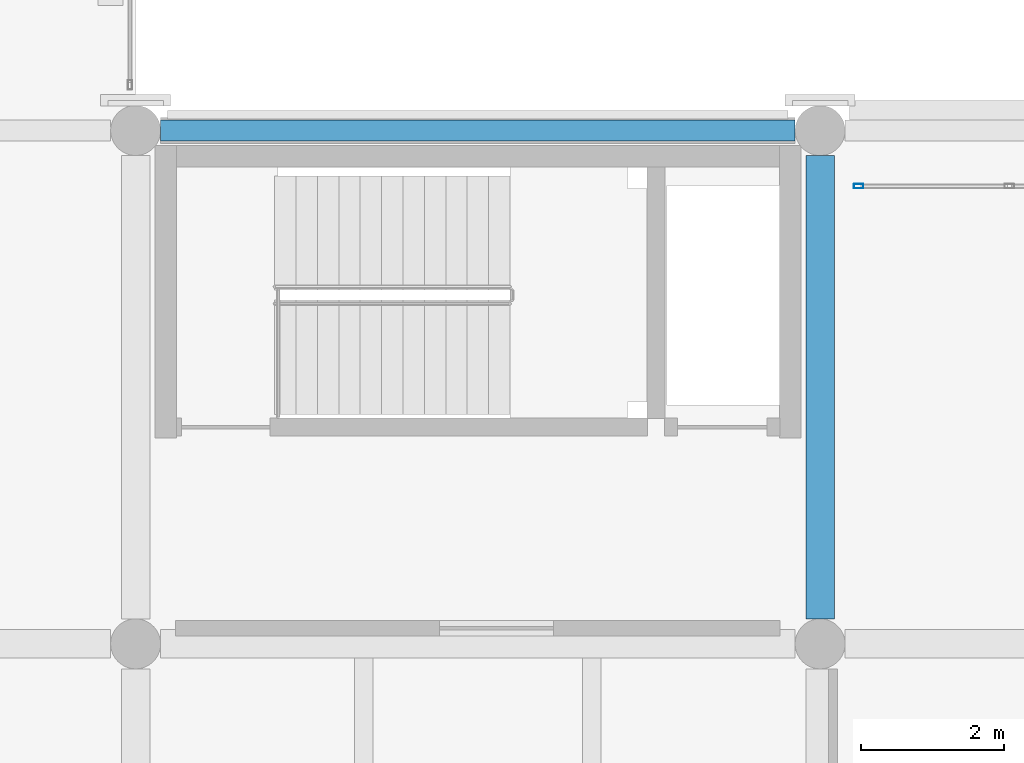
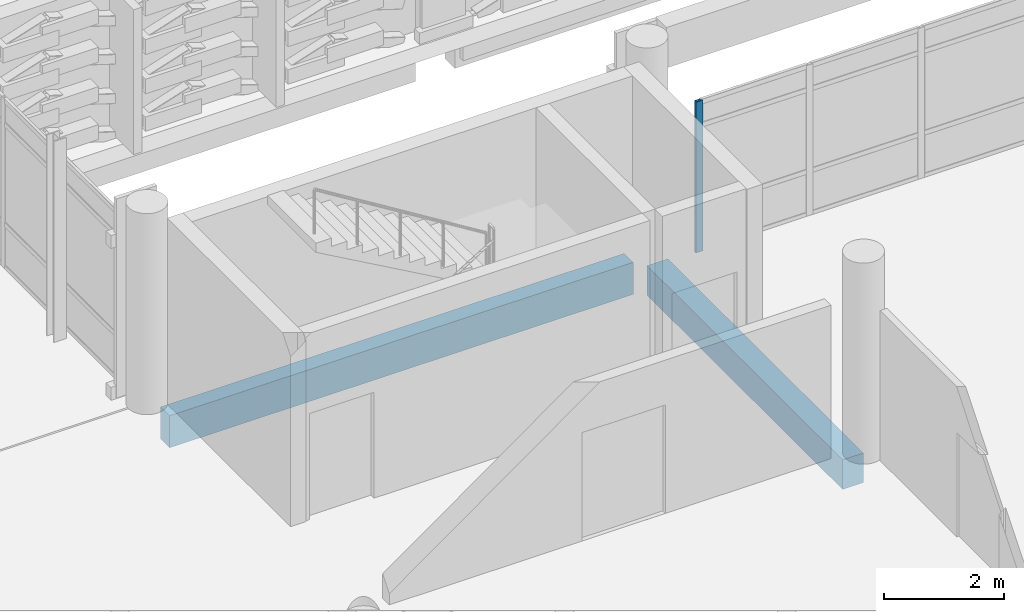
# One storey, part 52 of 180: 2 beams, 1 member, 1 element without a shape of its own.
"""IFC4 building model written with IfcOpenShell, lengths in metres."""

from ifc_helpers import new_model, si_unit, direction, frame, origin, origin_2d, place, context, subcontext, project, spatial, rectangle, hollow_rectangle, extrude, material, layer, layer_set, material_profile, profile_set, type_object, element, aggregate, save


model = new_model("IFC4")

# Units and contexts
model_context = context("Model", 3, precision=1e-05, world=origin(), true_north=direction((0.0, 1.0)))
body_context = subcontext(model_context, "Body", "Model", "MODEL_VIEW")
ifc_project = project(units=[si_unit("LENGTHUNIT", "METRE"), si_unit("AREAUNIT", "SQUARE_METRE"), si_unit("VOLUMEUNIT", "CUBIC_METRE"), si_unit("PLANEANGLEUNIT", "RADIAN"), si_unit("MASSUNIT", "GRAM", prefix="KILO")], contexts=[model_context])

# Site, building, storey
site_placement = place(None, origin())
site = spatial("IfcSite", under=ifc_project, at=site_placement, CompositionType="ELEMENT")
building_placement = place(site_placement, origin())
building = spatial("IfcBuilding", under=site, at=building_placement, Name="Asteropetra Specialist Clinic", CompositionType="ELEMENT")
storey_placement = place(building_placement, frame((0.0, 0.0, 4.419921875)))
storey = spatial("IfcBuildingStorey", under=building, at=storey_placement, Name="L01", CompositionType="ELEMENT", Elevation=4.419921875)

# Beam
ifc_material_1 = material(Name="Concrete C35/45", Category="concrete")
ifc_material_profile_1 = material_profile(ifc_material_1, rectangle(XDim=0.39990234375, YDim=0.60009765625, at=origin_2d()), Name="RCB 400x600")
ifc_profile_set_1 = profile_set([ifc_material_profile_1], Name="Concrete C35/45")
beam_type_1 = type_object("IfcBeamType", Name="BM-RC400x600", PredefinedType="BEAM", material=ifc_profile_set_1)
beam_1_placement = place(storey_placement, frame((38.39990234375, 55.550048828125, -0.599853515625), z_axis=(0.0, 1.0, 0.0), x_axis=(-1.0, 0.0, 0.0)))
element("IfcBeam", 1, at=beam_1_placement, inside=storey, type_object=beam_type_1, Name="Beam BBM08-0384", PredefinedType="BEAM", context=body_context, shape_type="SweptSolid", body=[
    extrude(rectangle(XDim=0.39990234375, YDim=0.60009765625, at=origin_2d()), origin(), (0.0, 0.0, 1.0), 6.5),
])

# Curtain wall, member
ifc_material_2 = material(Name="Aluminium and low-E glass", Category="aluminium")
ifc_layer = layer(ifc_material_2, 0.14990234375)
ifc_layer_set = layer_set([ifc_layer], Name="Aluminium and low-E glass")
curtain_wall_type = type_object("IfcCurtainWallType", Name="CW-SYS-11", PredefinedType="USERDEFINED", material=ifc_layer_set)
curtain_wall_placement = place(storey_placement, origin())
curtain_wall = element("IfcCurtainWall", 2, at=curtain_wall_placement, inside=storey, type_object=curtain_wall_type, Name="Curtain Wall CW-158", ObjectType="STICK GLAZED COLONNADE", PredefinedType="USERDEFINED")
ifc_material_3 = material(Name="Aluminium 6063-T6", Category="aluminium")
ifc_material_profile_2 = material_profile(ifc_material_3, hollow_rectangle(XDim=0.06005859375, YDim=0.135009765625, WallThickness=0.00341796875, InnerFilletRadius=0.00341796875, OuterFilletRadius=0.007080078125, at=origin_2d()), Name="MUL 135x60x3.5")
ifc_profile_set_2 = profile_set([ifc_material_profile_2], Name="Aluminium 6063-T6")
member_type = type_object("IfcMemberType", Name="CWM-135x60", PredefinedType="MULLION", material=ifc_profile_set_2)
member_placement = place(storey_placement, frame((38.93994140625, 61.6201171875, 0.0), z_axis=(0.0, 0.0, 1.0), x_axis=(0.0, -1.0, 0.0)))
member = element("IfcMember", 3, at=member_placement, type_object=member_type, Name="CW-158 mullion 5", PredefinedType="MULLION", context=body_context, shape_type="SweptSolid", body=[
    extrude(hollow_rectangle(XDim=0.06005859375, YDim=0.135009765625, WallThickness=0.00341796875, InnerFilletRadius=0.00341796875, OuterFilletRadius=0.007080078125, at=origin_2d()), origin(), (0.0, 0.0, 1.0), 3.06005859375),
])
aggregate(curtain_wall, [member])

# Beam
ifc_material_4 = material(Name="Concrete C35/45", Category="concrete")
ifc_material_profile_3 = material_profile(ifc_material_4, rectangle(XDim=0.300048828125, YDim=0.64990234375, at=origin_2d()), Name="RCS 300x650")
ifc_profile_set_3 = profile_set([ifc_material_profile_3], Name="Concrete C35/45")
beam_type_2 = type_object("IfcBeamType", Name="SPN-RC300x650", PredefinedType="SPANDREL", material=ifc_profile_set_3)
beam_2_placement = place(storey_placement, frame((29.14990234375, 62.39990234375, -0.625), z_axis=(1.0, 0.0, 0.0), x_axis=(0.0, 1.0, 0.0)))
element("IfcBeam", 4, at=beam_2_placement, inside=storey, type_object=beam_type_2, Name="Beam BSPN03-0332", PredefinedType="SPANDREL", context=body_context, shape_type="SweptSolid", body=[
    extrude(rectangle(XDim=0.300048828125, YDim=0.64990234375, at=origin_2d()), origin(), (0.0, 0.0, 1.0), 8.900146484375),
])

save(model, "model.ifc")
